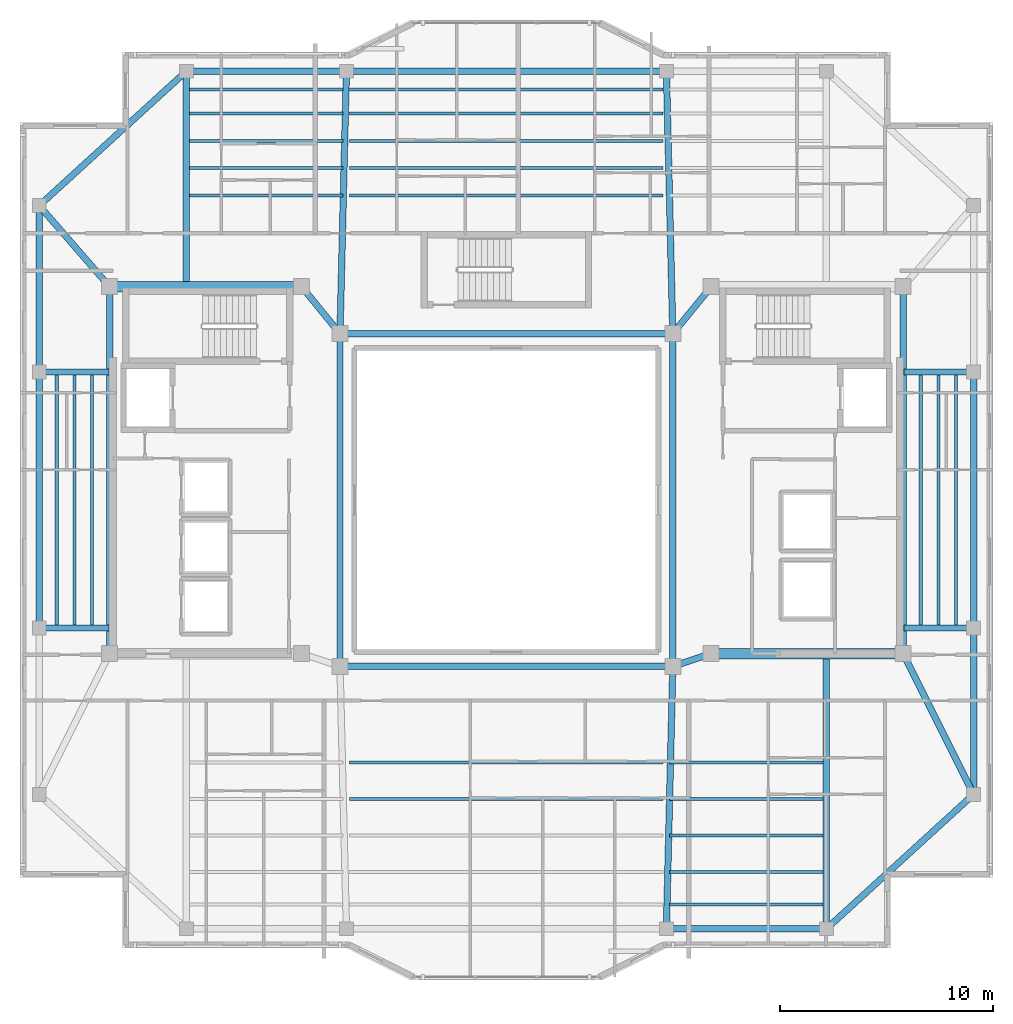
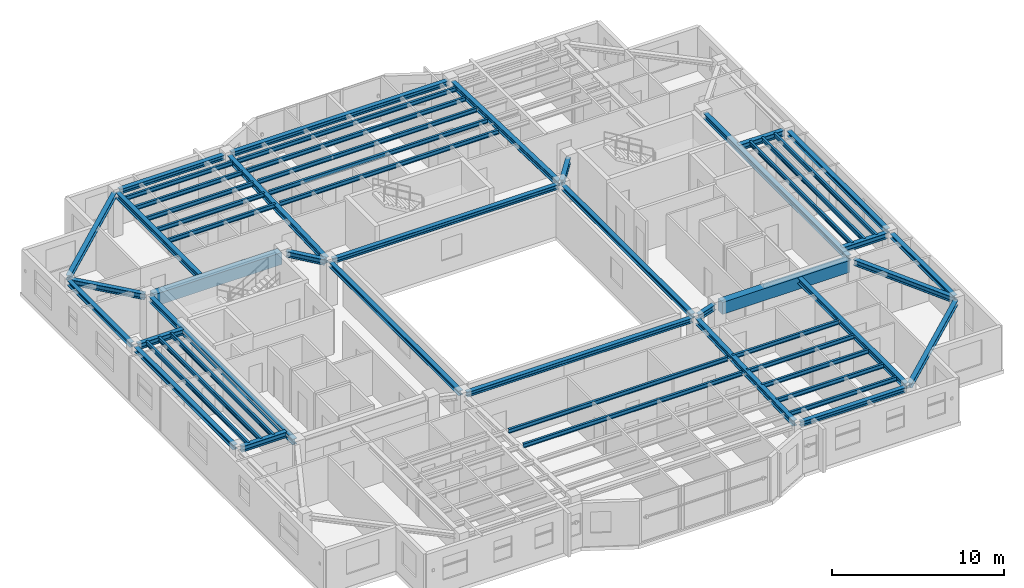
# One storey, part 3 of 15: 54 beams.
"""IFC4 building model written with IfcOpenShell, lengths in metres."""

from ifc_helpers import new_model, si_unit, direction, frame, origin, origin_2d, place, context, subcontext, project, spatial, rectangle, i_section, extrude, material, material_profile, profile_set, type_object, element, save


model = new_model("IFC4")

# Units and contexts
model_context = context("Model", 3, precision=1e-05, world=origin(), true_north=direction((0.0, 1.0)))
body_context = subcontext(model_context, "Body", "Model", "MODEL_VIEW")
ifc_project = project(units=[si_unit("LENGTHUNIT", "METRE"), si_unit("AREAUNIT", "SQUARE_METRE"), si_unit("VOLUMEUNIT", "CUBIC_METRE"), si_unit("PLANEANGLEUNIT", "RADIAN"), si_unit("MASSUNIT", "GRAM", prefix="KILO")], contexts=[model_context])

# Site, building, storey
site_placement = place(None, origin())
site = spatial("IfcSite", under=ifc_project, at=site_placement, CompositionType="ELEMENT")
building_placement = place(site_placement, origin())
building = spatial("IfcBuilding", under=site, at=building_placement, Name="Tarnavaz Court Tower", CompositionType="ELEMENT")
storey_placement = place(building_placement, frame((0.0, 0.0, 241.5)))
storey = spatial("IfcBuildingStorey", under=building, at=storey_placement, Name="L65", CompositionType="ELEMENT", Elevation=241.5)

# Beams
ifc_material_1 = material(Name="Concrete C50/60", Category="concrete")
ifc_material_profile_1 = material_profile(ifc_material_1, rectangle(XDim=0.5, YDim=0.85009765625, at=origin_2d()), Name="RC 500X850")
ifc_profile_set_1 = profile_set([ifc_material_profile_1], Name="Concrete C50/60")
beam_type_1 = type_object("IfcBeamType", Name="BM-CB850", PredefinedType="LINTEL", material=ifc_profile_set_1)
for number, where, z_axis, x_axis, name in (
    (1, (-18.3798828125, 10.0, 2.675048828125), (1.0, 0.0, 0.0), (0.0, 1.0, 0.0), "L65 Beam IN-CW-NO-CW-NI"),
    (2, (18.3798828125, -7.199951171875, 2.675048828125), (-1.0, 0.0, 0.0), (0.0, -1.0, 0.0), "L65 Beam IN-CE-SO-CE-SI"),
):
    element("IfcBeam", number, at=place(storey_placement, frame(where, z_axis=z_axis, x_axis=x_axis)), inside=storey, type_object=beam_type_1, Name=name, PredefinedType="LINTEL", context=body_context, shape_type="SweptSolid", body=[
        extrude(rectangle(XDim=0.5, YDim=0.85009765625, at=origin_2d()), origin(), (0.0, 0.0, 1.0), 8.559814453125),
    ])
ifc_material_2 = material(Name="Steel S355", Category="steel")
ifc_material_profile_2 = material_profile(ifc_material_2, i_section(OverallWidth=0.300048828125, OverallDepth=0.39990234375, WebThickness=0.013427734375, FlangeThickness=0.02392578125, FilletRadius=0.027099609375, at=origin_2d()), Name="HEB 400")
ifc_profile_set_2 = profile_set([ifc_material_profile_2], Name="Steel S355")
beam_type_2 = type_object("IfcBeamType", Name="BM-G-HEB400", PredefinedType="USERDEFINED", material=ifc_profile_set_2)
beam_1_placement = place(storey_placement, frame((9.391357421875, -7.26953125, 2.89990234375), z_axis=(-0.948666544706, -0.316278021615, 0.0), x_axis=(0.316278021615, -0.948666544706, 0.0)))
element("IfcBeam", 3, at=beam_1_placement, inside=storey, type_object=beam_type_2, Name="L65 Beam IN-CE-SI-IW-SE", ObjectType="GIRDER", PredefinedType="USERDEFINED", context=body_context, shape_type="SweptSolid", body=[
    extrude(i_section(OverallWidth=0.300048828125, OverallDepth=0.39990234375, WebThickness=0.013427734375, FlangeThickness=0.02392578125, FilletRadius=0.027099609375, at=origin_2d()), origin(), (0.0, 0.0, 1.0), 1.457275390625),
])
for number, where, z_axis, x_axis, name in (
    (4, (-9.460693359375, 9.82958984375, 2.89990234375), (0.633282058357, -0.773921077735, 0.0), (0.773921077735, 0.633282058357, 0.0), "L65 Beam IN-CW-NI-IW-NW"),
    (5, (9.460693359375, 9.82958984375, 2.89990234375), (-0.633282058357, -0.773921077735, 0.0), (0.773921077735, -0.633282058357, 0.0), "L65 Beam IN-CE-NI-IW-NE"),
):
    element("IfcBeam", number, at=place(storey_placement, frame(where, z_axis=z_axis, x_axis=x_axis)), inside=storey, type_object=beam_type_2, Name=name, ObjectType="GIRDER", PredefinedType="USERDEFINED", context=body_context, shape_type="SweptSolid", body=[
        extrude(i_section(OverallWidth=0.300048828125, OverallDepth=0.39990234375, WebThickness=0.013427734375, FlangeThickness=0.02392578125, FilletRadius=0.027099609375, at=origin_2d()), origin(), (0.0, 0.0, 1.0), 2.402587890625),
    ])
for number, where, z_axis, x_axis, name in (
    (6, (-18.60009765625, -6.97998046875, 2.89990234375), (0.0, 1.0, 0.0), (-1.0, 0.0, 0.0), "L65 Beam IN-CW-SO-CW-NO"),
    (7, (18.60009765625, -6.97998046875, 2.89990234375), (0.0, 1.0, 0.0), (-1.0, 0.0, 0.0), "L65 Beam IN-CE-SO-CE-NO"),
):
    element("IfcBeam", number, at=place(storey_placement, frame(where, z_axis=z_axis, x_axis=x_axis)), inside=storey, type_object=beam_type_2, Name=name, ObjectType="GIRDER", PredefinedType="USERDEFINED", context=body_context, shape_type="SweptSolid", body=[
        extrude(i_section(OverallWidth=0.300048828125, OverallDepth=0.39990234375, WebThickness=0.013427734375, FlangeThickness=0.02392578125, FilletRadius=0.027099609375, at=origin_2d()), origin(), (0.0, 0.0, 1.0), 16.760009765625),
    ])
beam_2_placement = place(storey_placement, frame((-15.0, 10.0400390625, 2.89990234375), z_axis=(0.0, 1.0, 0.0), x_axis=(-1.0, 0.0, 0.0)))
element("IfcBeam", 8, at=beam_2_placement, inside=storey, type_object=beam_type_2, Name="L65 Beam RG-01", ObjectType="GIRDER", PredefinedType="USERDEFINED", context=body_context, shape_type="SweptSolid", body=[
    extrude(i_section(OverallWidth=0.300048828125, OverallDepth=0.39990234375, WebThickness=0.013427734375, FlangeThickness=0.02392578125, FilletRadius=0.027099609375, at=origin_2d()), origin(), (0.0, 0.0, 1.0), 9.83984375),
])
for number, where, z_axis, x_axis, name in (
    (9, (-7.794677734375, 8.02001953125, 2.89990234375), (0.024386002211, 0.99970261723, 0.0), (-0.99970261723, 0.024386002211, 0.0), "L65 Beam RG-02"),
    (10, (7.794677734375, 8.02001953125, 2.89990234375), (-0.024386002211, 0.99970261723, 0.0), (-0.99970261723, -0.024386002211, 0.0), "L65 Beam RG-03"),
    (11, (7.794677734375, -8.02001953125, 2.89990234375), (-0.024386002211, -0.99970261723, 0.0), (0.99970261723, -0.024386002211, 0.0), "L65 Beam RG-07"),
):
    element("IfcBeam", number, at=place(storey_placement, frame(where, z_axis=z_axis, x_axis=x_axis)), inside=storey, type_object=beam_type_2, Name=name, ObjectType="GIRDER", PredefinedType="USERDEFINED", context=body_context, shape_type="SweptSolid", body=[
        extrude(i_section(OverallWidth=0.300048828125, OverallDepth=0.39990234375, WebThickness=0.013427734375, FlangeThickness=0.02392578125, FilletRadius=0.027099609375, at=origin_2d()), origin(), (0.0, 0.0, 1.0), 11.863525390625),
    ])
beam_3_placement = place(storey_placement, frame((15.0, -7.239990234375, 2.89990234375), z_axis=(0.0, -1.0, 0.0), x_axis=(1.0, 0.0, 0.0)))
element("IfcBeam", 12, at=beam_3_placement, inside=storey, type_object=beam_type_2, Name="L65 Beam RG-08", ObjectType="GIRDER", PredefinedType="USERDEFINED", context=body_context, shape_type="SweptSolid", body=[
    extrude(i_section(OverallWidth=0.300048828125, OverallDepth=0.39990234375, WebThickness=0.013427734375, FlangeThickness=0.02392578125, FilletRadius=0.027099609375, at=origin_2d()), origin(), (0.0, 0.0, 1.0), 12.639892578125),
])
for number, where, z_axis, x_axis, name in (
    (13, (18.639892578125, -6.0, 2.89990234375), (1.0, 0.0, 0.0), (0.0, 1.0, 0.0), "L65 Beam RG-09"),
    (14, (18.639892578125, 6.0, 2.89990234375), (1.0, 0.0, 0.0), (0.0, 1.0, 0.0), "L65 Beam RG-10"),
):
    element("IfcBeam", number, at=place(storey_placement, frame(where, z_axis=z_axis, x_axis=x_axis)), inside=storey, type_object=beam_type_2, Name=name, ObjectType="GIRDER", PredefinedType="USERDEFINED", context=body_context, shape_type="SweptSolid", body=[
        extrude(i_section(OverallWidth=0.300048828125, OverallDepth=0.39990234375, WebThickness=0.013427734375, FlangeThickness=0.02392578125, FilletRadius=0.027099609375, at=origin_2d()), origin(), (0.0, 0.0, 1.0), 3.0400390625),
    ])
beam_4_placement = place(storey_placement, frame((18.698486328125, -7.396728515625, 2.89990234375), z_axis=(0.447185448279, -0.894441264057, 0.0), x_axis=(0.894441264057, 0.447185448279, 0.0)))
element("IfcBeam", 15, at=beam_4_placement, inside=storey, type_object=beam_type_2, Name="L65 Beam RG-11", ObjectType="GIRDER", PredefinedType="USERDEFINED", context=body_context, shape_type="SweptSolid", body=[
    extrude(i_section(OverallWidth=0.300048828125, OverallDepth=0.39990234375, WebThickness=0.013427734375, FlangeThickness=0.02392578125, FilletRadius=0.027099609375, at=origin_2d()), origin(), (0.0, 0.0, 1.0), 6.93896484375),
])
for number, where, z_axis, x_axis, name in (
    (16, (-18.639892578125, -6.0, 2.89990234375), (-1.0, 0.0, 0.0), (0.0, -1.0, 0.0), "L65 Beam RG-13"),
    (17, (-18.639892578125, 6.0, 2.89990234375), (-1.0, 0.0, 0.0), (0.0, -1.0, 0.0), "L65 Beam RG-14"),
):
    element("IfcBeam", number, at=place(storey_placement, frame(where, z_axis=z_axis, x_axis=x_axis)), inside=storey, type_object=beam_type_2, Name=name, ObjectType="GIRDER", PredefinedType="USERDEFINED", context=body_context, shape_type="SweptSolid", body=[
        extrude(i_section(OverallWidth=0.300048828125, OverallDepth=0.39990234375, WebThickness=0.013427734375, FlangeThickness=0.02392578125, FilletRadius=0.027099609375, at=origin_2d()), origin(), (0.0, 0.0, 1.0), 3.0400390625),
    ])
beam_5_placement = place(storey_placement, frame((-18.744384765625, 10.166015625, 2.89990234375), z_axis=(-0.65565475567, 0.755060819648, 0.0), x_axis=(-0.755060819648, -0.65565475567, 0.0)))
element("IfcBeam", 18, at=beam_5_placement, inside=storey, type_object=beam_type_2, Name="L65 Beam RG-16", ObjectType="GIRDER", PredefinedType="USERDEFINED", context=body_context, shape_type="SweptSolid", body=[
    extrude(i_section(OverallWidth=0.300048828125, OverallDepth=0.39990234375, WebThickness=0.013427734375, FlangeThickness=0.02392578125, FilletRadius=0.027099609375, at=origin_2d()), origin(), (0.0, 0.0, 1.0), 4.5927734375),
])
ifc_material_profile_3 = material_profile(ifc_material_2, i_section(OverallWidth=0.14990234375, OverallDepth=0.300048828125, WebThickness=0.007080078125, FlangeThickness=0.0107421875, FilletRadius=0.014892578125, at=origin_2d()), Name="IPE 300")
ifc_profile_set_3 = profile_set([ifc_material_profile_3], Name="Steel S355")
beam_type_3 = type_object("IfcBeamType", Name="BM-J-IPE300", PredefinedType="JOIST", material=ifc_profile_set_3)
beam_6_placement = place(storey_placement, frame((-14.85009765625, 14.278076171875, 2.949951171875), z_axis=(1.0, 0.0, 0.0), x_axis=(0.0, 1.0, 0.0)))
element("IfcBeam", 19, at=beam_6_placement, inside=storey, type_object=beam_type_3, Name="L65 Beam JN1-1", PredefinedType="JOIST", context=body_context, shape_type="SweptSolid", body=[
    extrude(i_section(OverallWidth=0.14990234375, OverallDepth=0.300048828125, WebThickness=0.007080078125, FlangeThickness=0.0107421875, FilletRadius=0.014892578125, at=origin_2d()), origin(), (0.0, 0.0, 1.0), 7.2001953125),
])
for number, where, z_axis, x_axis, name in (
    (20, (-7.35009765625, 14.278076171875, 2.949951171875), (1.0, 0.0, 0.0), (0.0, 1.0, 0.0), "L65 Beam JN1-2"),
    (21, (-7.35009765625, -12.31005859375, 2.949951171875), (1.0, 0.0, 0.0), (0.0, 1.0, 0.0), "L65 Beam JS1-2"),
):
    element("IfcBeam", number, at=place(storey_placement, frame(where, z_axis=z_axis, x_axis=x_axis)), inside=storey, type_object=beam_type_3, Name=name, PredefinedType="JOIST", context=body_context, shape_type="SweptSolid", body=[
        extrude(i_section(OverallWidth=0.14990234375, OverallDepth=0.300048828125, WebThickness=0.007080078125, FlangeThickness=0.0107421875, FilletRadius=0.014892578125, at=origin_2d()), origin(), (0.0, 0.0, 1.0), 14.7001953125),
    ])
for number, where, z_axis, x_axis, name in (
    (22, (7.64990234375, -12.31005859375, 2.949951171875), (1.0, 0.0, 0.0), (0.0, 1.0, 0.0), "L65 Beam JS1-3"),
    (23, (-14.85009765625, 15.555908203125, 2.949951171875), (1.0, 0.0, 0.0), (0.0, 1.0, 0.0), "L65 Beam JN2-1"),
):
    element("IfcBeam", number, at=place(storey_placement, frame(where, z_axis=z_axis, x_axis=x_axis)), inside=storey, type_object=beam_type_3, Name=name, PredefinedType="JOIST", context=body_context, shape_type="SweptSolid", body=[
        extrude(i_section(OverallWidth=0.14990234375, OverallDepth=0.300048828125, WebThickness=0.007080078125, FlangeThickness=0.0107421875, FilletRadius=0.014892578125, at=origin_2d()), origin(), (0.0, 0.0, 1.0), 7.2001953125),
    ])
for number, where, z_axis, x_axis, name in (
    (24, (-7.35009765625, 15.555908203125, 2.949951171875), (1.0, 0.0, 0.0), (0.0, 1.0, 0.0), "L65 Beam JN2-2"),
    (25, (-7.35009765625, -14.02001953125, 2.949951171875), (1.0, 0.0, 0.0), (0.0, 1.0, 0.0), "L65 Beam JS2-2"),
):
    element("IfcBeam", number, at=place(storey_placement, frame(where, z_axis=z_axis, x_axis=x_axis)), inside=storey, type_object=beam_type_3, Name=name, PredefinedType="JOIST", context=body_context, shape_type="SweptSolid", body=[
        extrude(i_section(OverallWidth=0.14990234375, OverallDepth=0.300048828125, WebThickness=0.007080078125, FlangeThickness=0.0107421875, FilletRadius=0.014892578125, at=origin_2d()), origin(), (0.0, 0.0, 1.0), 14.7001953125),
    ])
for number, where, z_axis, x_axis, name in (
    (26, (7.64990234375, -14.02001953125, 2.949951171875), (1.0, 0.0, 0.0), (0.0, 1.0, 0.0), "L65 Beam JS2-3"),
    (27, (-14.85009765625, 16.833984375, 2.949951171875), (1.0, 0.0, 0.0), (0.0, 1.0, 0.0), "L65 Beam JN3-1"),
):
    element("IfcBeam", number, at=place(storey_placement, frame(where, z_axis=z_axis, x_axis=x_axis)), inside=storey, type_object=beam_type_3, Name=name, PredefinedType="JOIST", context=body_context, shape_type="SweptSolid", body=[
        extrude(i_section(OverallWidth=0.14990234375, OverallDepth=0.300048828125, WebThickness=0.007080078125, FlangeThickness=0.0107421875, FilletRadius=0.014892578125, at=origin_2d()), origin(), (0.0, 0.0, 1.0), 7.2001953125),
    ])
beam_7_placement = place(storey_placement, frame((-7.35009765625, 16.833984375, 2.949951171875), z_axis=(1.0, 0.0, 0.0), x_axis=(0.0, 1.0, 0.0)))
element("IfcBeam", 28, at=beam_7_placement, inside=storey, type_object=beam_type_3, Name="L65 Beam JN3-2", PredefinedType="JOIST", context=body_context, shape_type="SweptSolid", body=[
    extrude(i_section(OverallWidth=0.14990234375, OverallDepth=0.300048828125, WebThickness=0.007080078125, FlangeThickness=0.0107421875, FilletRadius=0.014892578125, at=origin_2d()), origin(), (0.0, 0.0, 1.0), 14.7001953125),
])
for number, where, z_axis, x_axis, name in (
    (29, (7.64990234375, -15.72998046875, 2.949951171875), (1.0, 0.0, 0.0), (0.0, 1.0, 0.0), "L65 Beam JS3-3"),
    (30, (-14.85009765625, 18.112060546875, 2.949951171875), (1.0, 0.0, 0.0), (0.0, 1.0, 0.0), "L65 Beam JN4-1"),
):
    element("IfcBeam", number, at=place(storey_placement, frame(where, z_axis=z_axis, x_axis=x_axis)), inside=storey, type_object=beam_type_3, Name=name, PredefinedType="JOIST", context=body_context, shape_type="SweptSolid", body=[
        extrude(i_section(OverallWidth=0.14990234375, OverallDepth=0.300048828125, WebThickness=0.007080078125, FlangeThickness=0.0107421875, FilletRadius=0.014892578125, at=origin_2d()), origin(), (0.0, 0.0, 1.0), 7.2001953125),
    ])
beam_8_placement = place(storey_placement, frame((-7.35009765625, 18.112060546875, 2.949951171875), z_axis=(1.0, 0.0, 0.0), x_axis=(0.0, 1.0, 0.0)))
element("IfcBeam", 31, at=beam_8_placement, inside=storey, type_object=beam_type_3, Name="L65 Beam JN4-2", PredefinedType="JOIST", context=body_context, shape_type="SweptSolid", body=[
    extrude(i_section(OverallWidth=0.14990234375, OverallDepth=0.300048828125, WebThickness=0.007080078125, FlangeThickness=0.0107421875, FilletRadius=0.014892578125, at=origin_2d()), origin(), (0.0, 0.0, 1.0), 14.7001953125),
])
for number, where, z_axis, x_axis, name in (
    (32, (7.64990234375, -17.43994140625, 2.949951171875), (1.0, 0.0, 0.0), (0.0, 1.0, 0.0), "L65 Beam JS4-3"),
    (33, (-14.85009765625, 19.248046875, 2.949951171875), (1.0, 0.0, 0.0), (0.0, 1.0, 0.0), "L65 Beam JN5-1"),
):
    element("IfcBeam", number, at=place(storey_placement, frame(where, z_axis=z_axis, x_axis=x_axis)), inside=storey, type_object=beam_type_3, Name=name, PredefinedType="JOIST", context=body_context, shape_type="SweptSolid", body=[
        extrude(i_section(OverallWidth=0.14990234375, OverallDepth=0.300048828125, WebThickness=0.007080078125, FlangeThickness=0.0107421875, FilletRadius=0.014892578125, at=origin_2d()), origin(), (0.0, 0.0, 1.0), 7.2001953125),
    ])
beam_9_placement = place(storey_placement, frame((-7.35009765625, 19.248046875, 2.949951171875), z_axis=(1.0, 0.0, 0.0), x_axis=(0.0, 1.0, 0.0)))
element("IfcBeam", 34, at=beam_9_placement, inside=storey, type_object=beam_type_3, Name="L65 Beam JN5-2", PredefinedType="JOIST", context=body_context, shape_type="SweptSolid", body=[
    extrude(i_section(OverallWidth=0.14990234375, OverallDepth=0.300048828125, WebThickness=0.007080078125, FlangeThickness=0.0107421875, FilletRadius=0.014892578125, at=origin_2d()), origin(), (0.0, 0.0, 1.0), 14.7001953125),
])
beam_10_placement = place(storey_placement, frame((7.64990234375, -18.9599609375, 2.949951171875), z_axis=(1.0, 0.0, 0.0), x_axis=(0.0, 1.0, 0.0)))
element("IfcBeam", 35, at=beam_10_placement, inside=storey, type_object=beam_type_3, Name="L65 Beam JS5-3", PredefinedType="JOIST", context=body_context, shape_type="SweptSolid", body=[
    extrude(i_section(OverallWidth=0.14990234375, OverallDepth=0.300048828125, WebThickness=0.007080078125, FlangeThickness=0.0107421875, FilletRadius=0.014892578125, at=origin_2d()), origin(), (0.0, 0.0, 1.0), 7.2001953125),
])
for number, where, z_axis, x_axis, name in (
    (36, (19.425048828125, -5.9599609375, 2.949951171875), (0.0, 1.0, 0.0), (-1.0, 0.0, 0.0), "L65 Beam JE1"),
    (37, (-19.425048828125, -5.9599609375, 2.949951171875), (0.0, 1.0, 0.0), (-1.0, 0.0, 0.0), "L65 Beam JW1"),
    (38, (20.25, -5.9599609375, 2.949951171875), (0.0, 1.0, 0.0), (-1.0, 0.0, 0.0), "L65 Beam JE2"),
    (39, (-20.25, -5.9599609375, 2.949951171875), (0.0, 1.0, 0.0), (-1.0, 0.0, 0.0), "L65 Beam JW2"),
    (40, (21.074951171875, -5.9599609375, 2.949951171875), (0.0, 1.0, 0.0), (-1.0, 0.0, 0.0), "L65 Beam JE3"),
    (41, (-21.074951171875, -5.9599609375, 2.949951171875), (0.0, 1.0, 0.0), (-1.0, 0.0, 0.0), "L65 Beam JW3"),
):
    element("IfcBeam", number, at=place(storey_placement, frame(where, z_axis=z_axis, x_axis=x_axis)), inside=storey, type_object=beam_type_3, Name=name, PredefinedType="JOIST", context=body_context, shape_type="SweptSolid", body=[
        extrude(i_section(OverallWidth=0.14990234375, OverallDepth=0.300048828125, WebThickness=0.007080078125, FlangeThickness=0.0107421875, FilletRadius=0.014892578125, at=origin_2d()), origin(), (0.0, 0.0, 1.0), 11.919921875),
    ])
ifc_material_profile_4 = material_profile(ifc_material_2, i_section(OverallWidth=0.300048828125, OverallDepth=0.330078125, WebThickness=0.009521484375, FlangeThickness=0.0166015625, FilletRadius=0.027099609375, at=origin_2d()), Name="HEA 340")
ifc_profile_set_4 = profile_set([ifc_material_profile_4], Name="Steel S355")
beam_type_4 = type_object("IfcBeamType", Name="BM-SP-HEA340", PredefinedType="BEAM", material=ifc_profile_set_4)
for number, where, z_axis, x_axis, name in (
    (42, (-7.580078125, -7.800048828125, 2.93505859375), (1.0, 0.0, 0.0), (0.0, 1.0, 0.0), "L65 Beam IN-IW-SW-IW-SE"),
    (43, (-7.580078125, 7.800048828125, 2.93505859375), (1.0, 0.0, 0.0), (0.0, 1.0, 0.0), "L65 Beam IN-IW-NW-IW-NE"),
    (44, (-7.800048828125, -7.580078125, 2.93505859375), (0.0, 1.0, 0.0), (-1.0, 0.0, 0.0), "L65 Beam IN-IW-SW-IW-NW"),
    (45, (7.800048828125, -7.580078125, 2.93505859375), (0.0, 1.0, 0.0), (-1.0, 0.0, 0.0), "L65 Beam IN-IW-SE-IW-NE"),
):
    element("IfcBeam", number, at=place(storey_placement, frame(where, z_axis=z_axis, x_axis=x_axis)), inside=storey, type_object=beam_type_4, Name=name, PredefinedType="BEAM", context=body_context, shape_type="SweptSolid", body=[
        extrude(i_section(OverallWidth=0.300048828125, OverallDepth=0.330078125, WebThickness=0.009521484375, FlangeThickness=0.0166015625, FilletRadius=0.027099609375, at=origin_2d()), origin(), (0.0, 0.0, 1.0), 15.16015625),
    ])
beam_11_placement = place(storey_placement, frame((-14.780029296875, 20.10009765625, 2.93505859375), z_axis=(1.0, 0.0, 0.0), x_axis=(0.0, 1.0, 0.0)))
element("IfcBeam", 46, at=beam_11_placement, inside=storey, type_object=beam_type_4, Name="L65 Beam PR-PN-1-PN-2", PredefinedType="BEAM", context=body_context, shape_type="SweptSolid", body=[
    extrude(i_section(OverallWidth=0.300048828125, OverallDepth=0.330078125, WebThickness=0.009521484375, FlangeThickness=0.0166015625, FilletRadius=0.027099609375, at=origin_2d()), origin(), (0.0, 0.0, 1.0), 7.06005859375),
])
beam_12_placement = place(storey_placement, frame((-7.280029296875, 20.10009765625, 2.93505859375), z_axis=(1.0, 0.0, 0.0), x_axis=(0.0, 1.0, 0.0)))
element("IfcBeam", 47, at=beam_12_placement, inside=storey, type_object=beam_type_4, Name="L65 Beam PR-PN-2-PN-3", PredefinedType="BEAM", context=body_context, shape_type="SweptSolid", body=[
    extrude(i_section(OverallWidth=0.300048828125, OverallDepth=0.330078125, WebThickness=0.009521484375, FlangeThickness=0.0166015625, FilletRadius=0.027099609375, at=origin_2d()), origin(), (0.0, 0.0, 1.0), 14.56005859375),
])
beam_13_placement = place(storey_placement, frame((7.719970703125, -20.10009765625, 2.93505859375), z_axis=(1.0, 0.0, 0.0), x_axis=(0.0, 1.0, 0.0)))
element("IfcBeam", 48, at=beam_13_placement, inside=storey, type_object=beam_type_4, Name="L65 Beam PR-PS-3-PS-4", PredefinedType="BEAM", context=body_context, shape_type="SweptSolid", body=[
    extrude(i_section(OverallWidth=0.300048828125, OverallDepth=0.330078125, WebThickness=0.009521484375, FlangeThickness=0.0166015625, FilletRadius=0.027099609375, at=origin_2d()), origin(), (0.0, 0.0, 1.0), 7.06005859375),
])
beam_14_placement = place(storey_placement, frame((21.89990234375, -13.580078125, 2.93505859375), z_axis=(0.0, 1.0, 0.0), x_axis=(-1.0, 0.0, 0.0)))
element("IfcBeam", 49, at=beam_14_placement, inside=storey, type_object=beam_type_4, Name="L65 Beam PR-PE-1-PE-2", PredefinedType="BEAM", context=body_context, shape_type="SweptSolid", body=[
    extrude(i_section(OverallWidth=0.300048828125, OverallDepth=0.330078125, WebThickness=0.009521484375, FlangeThickness=0.0166015625, FilletRadius=0.027099609375, at=origin_2d()), origin(), (0.0, 0.0, 1.0), 7.360107421875),
])
for number, where, z_axis, x_axis, name in (
    (50, (21.89990234375, -5.780029296875, 2.93505859375), (0.0, 1.0, 0.0), (-1.0, 0.0, 0.0), "L65 Beam PR-PE-2-PE-3"),
    (51, (-21.89990234375, -5.780029296875, 2.93505859375), (0.0, 1.0, 0.0), (-1.0, 0.0, 0.0), "L65 Beam PR-PW-2-PW-3"),
):
    element("IfcBeam", number, at=place(storey_placement, frame(where, z_axis=z_axis, x_axis=x_axis)), inside=storey, type_object=beam_type_4, Name=name, PredefinedType="BEAM", context=body_context, shape_type="SweptSolid", body=[
        extrude(i_section(OverallWidth=0.300048828125, OverallDepth=0.330078125, WebThickness=0.009521484375, FlangeThickness=0.0166015625, FilletRadius=0.027099609375, at=origin_2d()), origin(), (0.0, 0.0, 1.0), 11.56005859375),
    ])
beam_15_placement = place(storey_placement, frame((-21.89990234375, 6.219970703125, 2.93505859375), z_axis=(0.0, 1.0, 0.0), x_axis=(-1.0, 0.0, 0.0)))
element("IfcBeam", 52, at=beam_15_placement, inside=storey, type_object=beam_type_4, Name="L65 Beam PR-PW-3-PW-4", PredefinedType="BEAM", context=body_context, shape_type="SweptSolid", body=[
    extrude(i_section(OverallWidth=0.300048828125, OverallDepth=0.330078125, WebThickness=0.009521484375, FlangeThickness=0.0166015625, FilletRadius=0.027099609375, at=origin_2d()), origin(), (0.0, 0.0, 1.0), 7.360107421875),
])
for number, where, z_axis, x_axis, name in (
    (53, (21.737548828125, -13.9482421875, 2.93505859375), (-0.738474214476, -0.674281717499, 0.0), (0.674281717499, -0.738474214476, 0.0), "L65 Beam PR-PE-1-PS-4"),
    (54, (-21.737548828125, 13.9482421875, 2.93505859375), (0.738474214476, 0.674281717499, 0.0), (-0.674281717499, 0.738474214476, 0.0), "L65 Beam PR-PW-4-PN-1"),
):
    element("IfcBeam", number, at=place(storey_placement, frame(where, z_axis=z_axis, x_axis=x_axis)), inside=storey, type_object=beam_type_4, Name=name, PredefinedType="BEAM", context=body_context, shape_type="SweptSolid", body=[
        extrude(i_section(OverallWidth=0.300048828125, OverallDepth=0.330078125, WebThickness=0.009521484375, FlangeThickness=0.0166015625, FilletRadius=0.027099609375, at=origin_2d()), origin(), (0.0, 0.0, 1.0), 8.9033203125),
    ])

save(model, "model.ifc")
